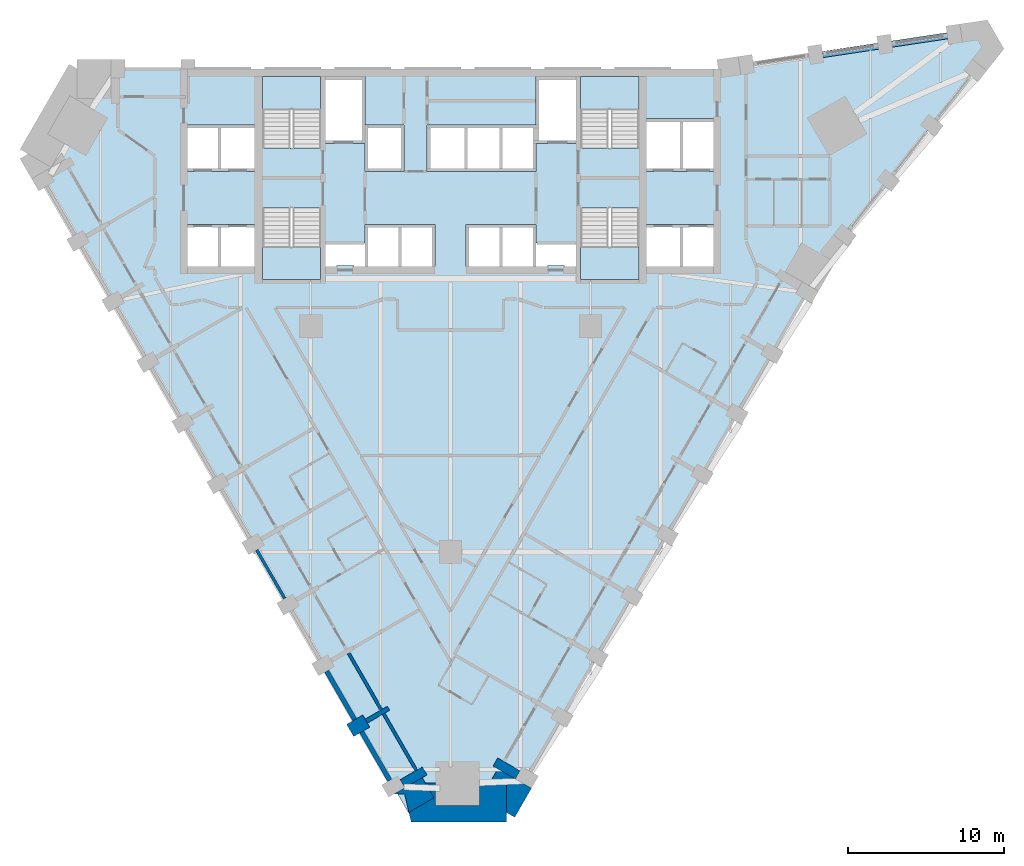
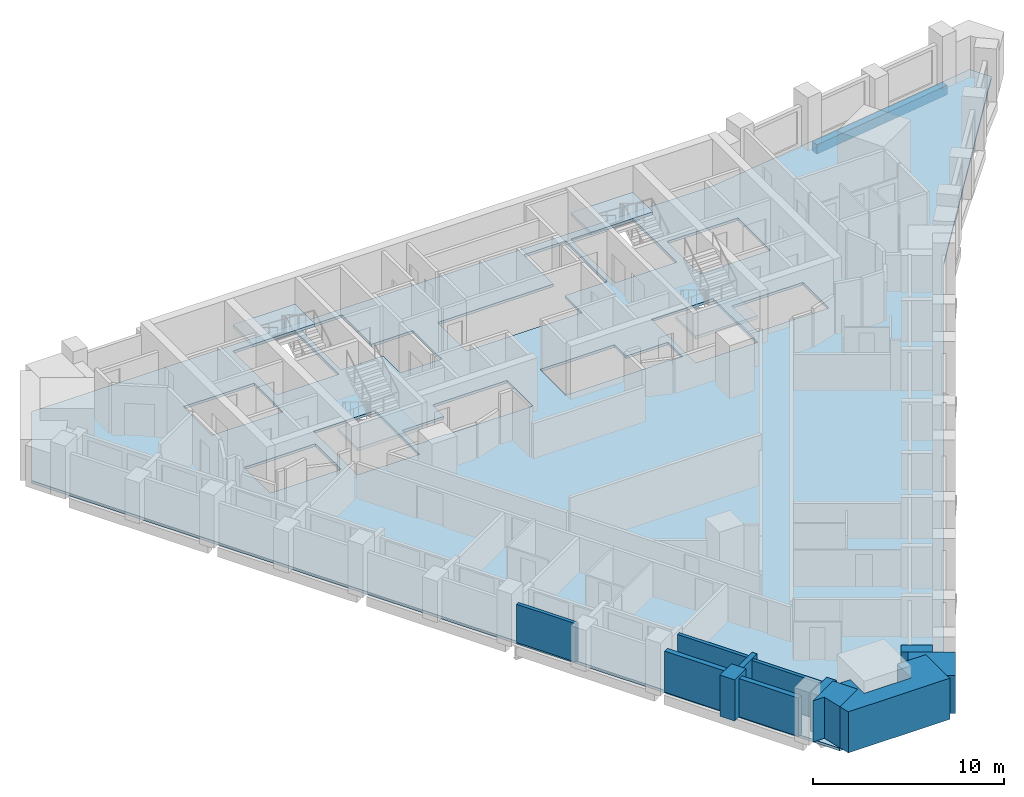
# One storey, part 2 of 11: 12 walls, 5 slabs, 1 beam, 4 elements without a shape of their own.
"""IFC4 building model written with IfcOpenShell, lengths in metres."""

from ifc_helpers import new_model, si_unit, direction, frame, frame_2d, origin, origin_2d, place, context, subcontext, project, spatial, polyline, rectangle, outline, extrude, material, layer, layer_set, material_profile, profile_set, type_object, element, aggregate, save


model = new_model("IFC4")

# Units and contexts
model_context = context("Model", 3, precision=1e-05, world=origin(), true_north=direction((0.0, 1.0)))
body_context = subcontext(model_context, "Body", "Model", "MODEL_VIEW")
ifc_project = project(units=[si_unit("LENGTHUNIT", "METRE"), si_unit("AREAUNIT", "SQUARE_METRE"), si_unit("VOLUMEUNIT", "CUBIC_METRE"), si_unit("PLANEANGLEUNIT", "RADIAN"), si_unit("MASSUNIT", "GRAM", prefix="KILO")], contexts=[model_context])

# Site, building, storey
site_placement = place(None, origin())
site = spatial("IfcSite", under=ifc_project, at=site_placement, CompositionType="ELEMENT")
building_placement = place(site_placement, origin())
building = spatial("IfcBuilding", under=site, at=building_placement, Name="Calabash Gate Tower", CompositionType="ELEMENT")
storey_placement = place(building_placement, frame((0.0, 0.0, 125.800048828125)))
storey = spatial("IfcBuildingStorey", under=building, at=storey_placement, Name="L29", CompositionType="ELEMENT", Elevation=125.800048828125)

# Beam
ifc_material_1 = material(Name="Concrete C60/75", Category="concrete")
ifc_material_profile = material_profile(ifc_material_1, rectangle(XDim=0.39990234375, YDim=0.60009765625, at=origin_2d()))
ifc_profile_set = profile_set([ifc_material_profile], Name="Concrete C60/75")
beam_type = type_object("IfcBeamType", Name="Edge beam RC 400x600 Concrete C60/75", PredefinedType="BEAM", material=ifc_profile_set)
beam_placement = place(storey_placement, frame((32.5439453125, 21.27392578125, -0.469970703125), z_axis=(-0.988841625555, -0.148970599683, 0.0), x_axis=(0.148970599683, -0.988841625555, 0.0)))
element("IfcBeam", 1, at=beam_placement, inside=storey, type_object=beam_type, Name="Edge beam L29 15", PredefinedType="BEAM", context=body_context, shape_type="SweptSolid", body=[
    extrude(rectangle(XDim=0.39990234375, YDim=0.60009765625, at=origin_2d()), origin(), (0.0, 0.0, 1.0), 8.7333984375),
])

# Slab
ifc_material_2 = material(Name="Concrete C40/50", Category="concrete")
ifc_layer_1 = layer(ifc_material_2, 0.169921875)
ifc_layer_set_1 = layer_set([ifc_layer_1], Name="Composite floor slab 170 Concrete C40/50")
slab_type_1 = type_object("IfcSlabType", Name="Composite floor slab 170 Concrete C40/50", PredefinedType="FLOOR", material=ifc_layer_set_1)
slab_1_placement = place(storey_placement, frame((0.0, 0.0, -0.170166015625)))
element("IfcSlab", 2, at=slab_1_placement, inside=storey, type_object=slab_type_1, Name="Floor slab L29", PredefinedType="FLOOR", context=body_context, shape_type="SweptSolid", body=[
    extrude(outline(polyline([(-27.162353515625, 13.581787109375), (-24.00390625, 19.052490234375), (17.2099609375, 19.052490234375), (34.192138671875, 21.54150390625), (34.856689453125, 20.390625), (24.2099609375, 6.92822265625), (3.60302734375, -28.76416015625), (-2.7138671875, -28.76416015625), (-27.162353515625, 13.581787109375)]), holes=[polyline([(-5.5, 9.052490234375), (-5.5, 7.8525390625), (-8.050048828125, 7.8525390625), (-8.050048828125, 6.3525390625), (-7.324951171875, 6.3525390625), (-7.324951171875, 6.402587890625), (-6.22509765625, 6.402587890625), (-6.22509765625, 6.3525390625), (-5.5, 6.3525390625), (-3.25, 6.3525390625), (-1.0, 6.3525390625), (-1.0, 9.052490234375), (-3.25, 9.052490234375), (-5.5, 9.052490234375)]), polyline([(5.5, 9.052490234375), (3.25, 9.052490234375), (1.0, 9.052490234375), (1.0, 6.3525390625), (3.25, 6.3525390625), (5.5, 6.3525390625), (6.22509765625, 6.3525390625), (6.22509765625, 6.402587890625), (7.324951171875, 6.402587890625), (7.324951171875, 6.3525390625), (8.050048828125, 6.3525390625), (8.050048828125, 7.8525390625), (5.5, 7.8525390625), (5.5, 9.052490234375)]), polyline([(-5.5, 14.252685546875), (-5.5, 12.45263671875), (-3.0, 12.45263671875), (-3.0, 15.45263671875), (-5.5, 15.45263671875), (-5.5, 18.552490234375), (-8.050048828125, 18.552490234375), (-8.050048828125, 14.252685546875), (-5.5, 14.252685546875)]), polyline([(8.050048828125, 18.552490234375), (5.5, 18.552490234375), (5.5, 15.45263671875), (3.25, 15.45263671875), (1.0, 15.45263671875), (-1.5, 15.45263671875), (-1.5, 12.45263671875), (1.0, 12.45263671875), (3.25, 12.45263671875), (5.5, 12.45263671875), (5.5, 14.252685546875), (8.050048828125, 14.252685546875), (8.050048828125, 18.552490234375)]), polyline([(-12.60009765625, 6.3525390625), (-12.60009765625, 9.052490234375), (-14.85009765625, 9.052490234375), (-16.89990234375, 9.052490234375), (-16.89990234375, 6.3525390625), (-14.85009765625, 6.3525390625), (-12.60009765625, 6.3525390625)]), polyline([(-14.85009765625, 12.45263671875), (-12.60009765625, 12.45263671875), (-12.60009765625, 15.45263671875), (-14.85009765625, 15.45263671875), (-16.89990234375, 15.45263671875), (-16.89990234375, 12.45263671875), (-14.85009765625, 12.45263671875)]), polyline([(14.85009765625, 6.3525390625), (16.89990234375, 6.3525390625), (16.89990234375, 9.052490234375), (14.85009765625, 9.052490234375), (12.60009765625, 9.052490234375), (12.60009765625, 6.3525390625), (14.85009765625, 6.3525390625)]), polyline([(14.85009765625, 12.45263671875), (16.89990234375, 12.45263671875), (16.89990234375, 15.8525390625), (14.85009765625, 15.8525390625), (12.60009765625, 15.8525390625), (12.60009765625, 12.45263671875), (14.85009765625, 12.45263671875)]), polyline([(-8.35009765625, 18.552490234375), (-12.10009765625, 18.552490234375), (-12.10009765625, 13.95263671875), (-8.35009765625, 13.95263671875), (-8.35009765625, 18.552490234375)]), polyline([(-12.10009765625, 10.1025390625), (-12.10009765625, 5.502685546875), (-8.35009765625, 5.502685546875), (-8.35009765625, 10.1025390625), (-12.10009765625, 10.1025390625)]), polyline([(8.35009765625, 13.95263671875), (12.10009765625, 13.95263671875), (12.10009765625, 18.552490234375), (8.35009765625, 18.552490234375), (8.35009765625, 13.95263671875)]), polyline([(12.10009765625, 5.502685546875), (12.10009765625, 10.1025390625), (8.35009765625, 10.1025390625), (8.35009765625, 5.502685546875), (12.10009765625, 5.502685546875)])]), origin(), (0.0, 0.0, 1.0), 0.170166015625),
])

# Stair, slab
ifc_material_3 = material(Name="Concrete C40/50", Category="concrete")
stair_type = type_object("IfcStairType", Name="Exit stair 20 risers of 170 mm", PredefinedType="HALF_TURN_STAIR", material=ifc_material_3)
stair_1_placement = place(storey_placement, origin())
stair_1 = element("IfcStair", 3, at=stair_1_placement, inside=storey, type_object=stair_type, Name="L29 Exit stair ST1", PredefinedType="HALF_TURN_STAIR")
ifc_material_4 = material(Name="Concrete C40/50", Category="concrete")
ifc_layer_2 = layer(ifc_material_4, 0.199951171875)
ifc_layer_set_2 = layer_set([ifc_layer_2], Name="Stair landing SL200")
slab_type_2 = type_object("IfcSlabType", Name="Stair landing SL200", PredefinedType="LANDING", material=ifc_layer_set_2)
slab_2_placement = place(storey_placement, frame((0.0, 0.0, 1.5)))
slab_2 = element("IfcSlab", 4, at=slab_2_placement, type_object=slab_type_2, Name="ST1 landing 1", PredefinedType="LANDING", context=body_context, shape_type="SweptSolid", body=[
    extrude(outline(polyline([(-8.35009765625, 16.463623046875), (-8.35009765625, 18.552490234375), (-12.10009765625, 18.552490234375), (-12.10009765625, 16.463623046875), (-8.35009765625, 16.463623046875)])), origin(), (0.0, 0.0, 1.0), 0.199951171875),
])
aggregate(stair_1, [slab_2])

stair_2_placement = place(storey_placement, origin())
stair_2 = element("IfcStair", 5, at=stair_2_placement, inside=storey, type_object=stair_type, Name="L29 Exit stair ST2", PredefinedType="HALF_TURN_STAIR")
slab_3_placement = place(storey_placement, frame((0.0, 0.0, 1.5)))
slab_3 = element("IfcSlab", 6, at=slab_3_placement, type_object=slab_type_2, Name="ST2 landing 1", PredefinedType="LANDING", context=body_context, shape_type="SweptSolid", body=[
    extrude(outline(polyline([(-12.10009765625, 7.591552734375), (-12.10009765625, 5.502685546875), (-8.35009765625, 5.502685546875), (-8.35009765625, 7.591552734375), (-12.10009765625, 7.591552734375)])), origin(), (0.0, 0.0, 1.0), 0.199951171875),
])
aggregate(stair_2, [slab_3])

stair_3_placement = place(storey_placement, origin())
stair_3 = element("IfcStair", 7, at=stair_3_placement, inside=storey, type_object=stair_type, Name="L29 Exit stair ST3", PredefinedType="HALF_TURN_STAIR")
slab_4_placement = place(storey_placement, frame((0.0, 0.0, 1.5)))
slab_4 = element("IfcSlab", 8, at=slab_4_placement, type_object=slab_type_2, Name="ST3 landing 1", PredefinedType="LANDING", context=body_context, shape_type="SweptSolid", body=[
    extrude(outline(polyline([(12.10009765625, 16.463623046875), (12.10009765625, 18.552490234375), (8.35009765625, 18.552490234375), (8.35009765625, 16.463623046875), (12.10009765625, 16.463623046875)])), origin(), (0.0, 0.0, 1.0), 0.199951171875),
])
aggregate(stair_3, [slab_4])

stair_4_placement = place(storey_placement, origin())
stair_4 = element("IfcStair", 9, at=stair_4_placement, inside=storey, type_object=stair_type, Name="L29 Exit stair ST4", PredefinedType="HALF_TURN_STAIR")
slab_5_placement = place(storey_placement, frame((0.0, 0.0, 1.5)))
slab_5 = element("IfcSlab", 10, at=slab_5_placement, type_object=slab_type_2, Name="ST4 landing 1", PredefinedType="LANDING", context=body_context, shape_type="SweptSolid", body=[
    extrude(outline(polyline([(8.35009765625, 7.591552734375), (8.35009765625, 5.502685546875), (12.10009765625, 5.502685546875), (12.10009765625, 7.591552734375), (8.35009765625, 7.591552734375)])), origin(), (0.0, 0.0, 1.0), 0.199951171875),
])
aggregate(stair_4, [slab_5])

# Walls
ifc_material_5 = material(Name="Terracotta brick masonry, exposed face", Category="masonry")
ifc_layer_3 = layer(ifc_material_5, 2.5)
ifc_layer_set_3 = layer_set([ifc_layer_3], Name="Brick corner mass wall 2500")
wall_type_1 = type_object("IfcWallType", Name="Brick corner mass wall 2500", PredefinedType="SOLIDWALL", material=ifc_layer_set_3)
wall_1_placement = place(storey_placement, origin())
element("IfcWall", 11, at=wall_1_placement, inside=storey, type_object=wall_type_1, Name="Brick corner pier S08 1a", PredefinedType="SOLIDWALL", context=body_context, shape_type="SweptSolid", body=[
    extrude(outline(polyline([(-1.068603515625, -27.814208984375), (-1.817626953125, -26.516357421875), (-2.943603515625, -27.16650390625), (-2.943359375, -27.166748046875), (-3.65234375, -27.575927734375), (-2.9541015625, -27.575927734375), (-2.6796875, -28.744384765625), (-1.068603515625, -27.814208984375)])), origin(), (0.0, 0.0, 1.0), 2.6298828125),
])
wall_2_placement = place(storey_placement, origin())
element("IfcWall", 12, at=wall_2_placement, inside=storey, type_object=wall_type_1, Name="Brick corner pier S08 1b", PredefinedType="SOLIDWALL", context=body_context, shape_type="SweptSolid", body=[
    extrude(outline(polyline([(-0.97802734375, -26.864013671875), (-1.616943359375, -26.864013671875), (-1.068603515625, -27.814208984375), (-2.6796875, -28.744384765625), (-2.5341796875, -29.364013671875), (3.60302734375, -29.364013671875), (3.60302734375, -26.864013671875), (1.8720703125, -26.864013671875), (1.8720703125, -28.318115234375), (-0.97802734375, -28.318115234375), (-0.97802734375, -26.864013671875)])), origin(), (0.0, 0.0, 1.0), 2.6298828125),
])
wall_3_placement = place(storey_placement, origin())
element("IfcWall", 13, at=wall_3_placement, inside=storey, type_object=wall_type_1, Name="Brick corner pier S08 1c", PredefinedType="SOLIDWALL", context=body_context, shape_type="SweptSolid", body=[
    extrude(outline(polyline([(5.201171875, -27.196044921875), (3.0361328125, -25.946044921875), (2.506103515625, -26.864013671875), (3.60302734375, -26.864013671875), (3.60302734375, -28.76416015625), (4.122802734375, -29.064208984375), (5.201171875, -27.196044921875)])), origin(), (0.0, 0.0, 1.0), 2.449951171875),
])
ifc_material_6 = material(Name="Terracotta brick masonry, exposed face", Category="masonry")
ifc_layer_4 = layer(ifc_material_6, 1.199951171875)
ifc_layer_set_4 = layer_set([ifc_layer_4], Name="Brick end wall 1200")
wall_type_2 = type_object("IfcWallType", Name="Brick end wall 1200", PredefinedType="SOLIDWALL", material=ifc_layer_set_4)
wall_4_placement = place(storey_placement, frame((-6.457763671875, -23.4794921875, 0.0), z_axis=(0.0, 0.0, 1.0), x_axis=(0.866043267704, 0.499969057507, 0.0)))
element("IfcWall", 14, at=wall_4_placement, inside=storey, type_object=wall_type_2, Name="Brick pier S08 SW0.9", PredefinedType="SOLIDWALL", context=body_context, shape_type="SweptSolid", body=[
    extrude(rectangle(XDim=1.19970703125, YDim=0.89990234375, at=frame_2d((0.599853515625, 0.0))), origin(), (0.0, 0.0, 1.0), 2.6298828125),
])
ifc_material_7 = material(Name="Terracotta brick masonry, exposed face", Category="masonry")
ifc_layer_5 = layer(ifc_material_7, 0.300048828125)
ifc_layer_set_5 = layer_set([ifc_layer_5], Name="Brick infill panel wall 300")
wall_type_3 = type_object("IfcWallType", Name="Brick infill panel wall 300", PredefinedType="SOLIDWALL", material=ifc_layer_set_5)
wall_5_placement = place(storey_placement, frame((-7.963134765625, -19.672119140625, 0.0), z_axis=(0.0, 0.0, 1.0), x_axis=(0.500012057535, -0.866018442252, 0.0)))
element("IfcWall", 15, at=wall_5_placement, inside=storey, type_object=wall_type_3, Name="Brick panel S08 SW0.9", PredefinedType="SOLIDWALL", context=body_context, shape_type="SweptSolid", body=[
    extrude(rectangle(XDim=3.60009765625, YDim=0.300048828125, at=frame_2d((1.800048828125, 0.0))), origin(), (0.0, 0.0, 1.0), 2.6298828125),
])
wall_6_placement = place(storey_placement, frame((-5.713134765625, -23.5693359375, 0.0), z_axis=(0.0, 0.0, 1.0), x_axis=(0.500012057535, -0.866018442252, 0.0)))
element("IfcWall", 16, at=wall_6_placement, inside=storey, type_object=wall_type_3, Name="Brick panel S08 SW0.10", PredefinedType="SOLIDWALL", context=body_context, shape_type="SweptSolid", body=[
    extrude(rectangle(XDim=3.60009765625, YDim=0.300048828125, at=frame_2d((1.800048828125, 0.0))), origin(), (0.0, 0.0, 1.0), 2.449951171875),
])
ifc_material_8 = material(Name="Terracotta brick masonry, exposed face", Category="masonry")
ifc_layer_6 = layer(ifc_material_8, 0.300048828125)
ifc_layer_set_6 = layer_set([ifc_layer_6], Name="Brick loggia cheek wall 300")
wall_type_4 = type_object("IfcWallType", Name="Brick loggia cheek wall 300", PredefinedType="SOLIDWALL", material=ifc_layer_set_6)
wall_7_placement = place(storey_placement, frame((-3.98974609375, -22.0546875, 0.0), z_axis=(0.0, 0.0, 1.0), x_axis=(-0.866040211805, -0.499974350878, 0.0)))
element("IfcWall", 17, at=wall_7_placement, inside=storey, type_object=wall_type_4, Name="Loggia cheek S08 SW0.9", PredefinedType="SOLIDWALL", context=body_context, shape_type="SweptSolid", body=[
    extrude(rectangle(XDim=1.64990234375, YDim=0.300048828125, at=frame_2d((0.824951171875, 0.0))), origin(), (0.0, 0.0, 1.0), 2.473388671875),
])
wall_8_placement = place(storey_placement, frame((-3.093505859375, -26.906494140625, 0.0), z_axis=(0.0, 0.0, 1.0), x_axis=(0.866040211805, 0.499974350878, 0.0)))
element("IfcWall", 18, at=wall_8_placement, inside=storey, type_object=wall_type_4, Name="Loggia cheek S08 SW0.10", PredefinedType="SOLIDWALL", context=body_context, shape_type="SweptSolid", body=[
    extrude(rectangle(XDim=1.64990234375, YDim=0.60009765625, at=frame_2d((0.824951171875, 0.0))), origin(), (0.0, 0.0, 1.0), 2.449951171875),
])
wall_9_placement = place(storey_placement, frame((4.31201171875, -26.33642578125, 0.0), z_axis=(0.0, 0.0, 1.0), x_axis=(-0.865976140824, 0.500085316245, 0.0)))
element("IfcWall", 19, at=wall_9_placement, inside=storey, type_object=wall_type_4, Name="Loggia cheek S08 SE2.0", PredefinedType="SOLIDWALL", context=body_context, shape_type="SweptSolid", body=[
    extrude(rectangle(XDim=1.650146484375, YDim=0.60009765625, at=frame_2d((0.8251953125, 0.0))), origin(), (0.0, 0.0, 1.0), 2.449951171875),
])
ifc_material_9 = material(Name="Terracotta brick masonry, perforated", Category="masonry")
ifc_layer_7 = layer(ifc_material_9, 0.199951171875)
ifc_layer_set_7 = layer_set([ifc_layer_7], Name="Terracotta jaali screen B")
wall_type_5 = type_object("IfcWallType", Name="Terracotta jaali screen B", PredefinedType="SOLIDWALL", material=ifc_layer_set_7)
wall_10_placement = place(storey_placement, frame((-12.463134765625, -11.8779296875, 0.0), z_axis=(0.0, 0.0, 1.0), x_axis=(0.500012057535, -0.866018442252, 0.0)))
element("IfcWall", 20, at=wall_10_placement, inside=storey, type_object=wall_type_5, Name="SCREEN B S08 SW0.7", PredefinedType="SOLIDWALL", context=body_context, shape_type="SweptSolid", body=[
    extrude(rectangle(XDim=3.60009765625, YDim=0.199951171875, at=frame_2d((1.800048828125, 0.0))), origin(), (0.0, 0.0, 1.0), 2.449951171875),
])
ifc_material_10 = material(Name="Aluminium framed window wall with insulated spandrel", Category="aluminium")
ifc_layer_8 = layer(ifc_material_10, 0.199951171875)
ifc_layer_set_8 = layer_set([ifc_layer_8], Name="Window wall 200")
wall_type_6 = type_object("IfcWallType", Name="Window wall 200", PredefinedType="ELEMENTEDWALL", material=ifc_layer_set_8)
wall_11_placement = place(storey_placement, frame((-6.554443359375, -18.512451171875, 0.0), z_axis=(0.0, 0.0, 1.0), x_axis=(0.500027713859, -0.866009402589, 0.0)))
element("IfcWall", 21, at=wall_11_placement, inside=storey, type_object=wall_type_6, Name="Window wall S08 SW0.9", PredefinedType="ELEMENTEDWALL", context=body_context, shape_type="SweptSolid", body=[
    extrude(rectangle(XDim=4.199951171875, YDim=0.199951171875, at=frame_2d((2.10009765625, 0.0))), origin(), (0.0, 0.0, 1.0), 2.473388671875),
])
wall_12_placement = place(storey_placement, frame((-4.304443359375, -22.409423828125, 0.0), z_axis=(0.0, 0.0, 1.0), x_axis=(0.500002543286, -0.866023935413, 0.0)))
element("IfcWall", 22, at=wall_12_placement, inside=storey, type_object=wall_type_6, Name="Window wall S08 SW0.10", PredefinedType="ELEMENTEDWALL", context=body_context, shape_type="SweptSolid", body=[
    extrude(rectangle(XDim=4.2001953125, YDim=0.199951171875, at=frame_2d((2.10009765625, 0.0))), origin(), (0.0, 0.0, 1.0), 2.384033203125),
])

save(model, "model.ifc")
